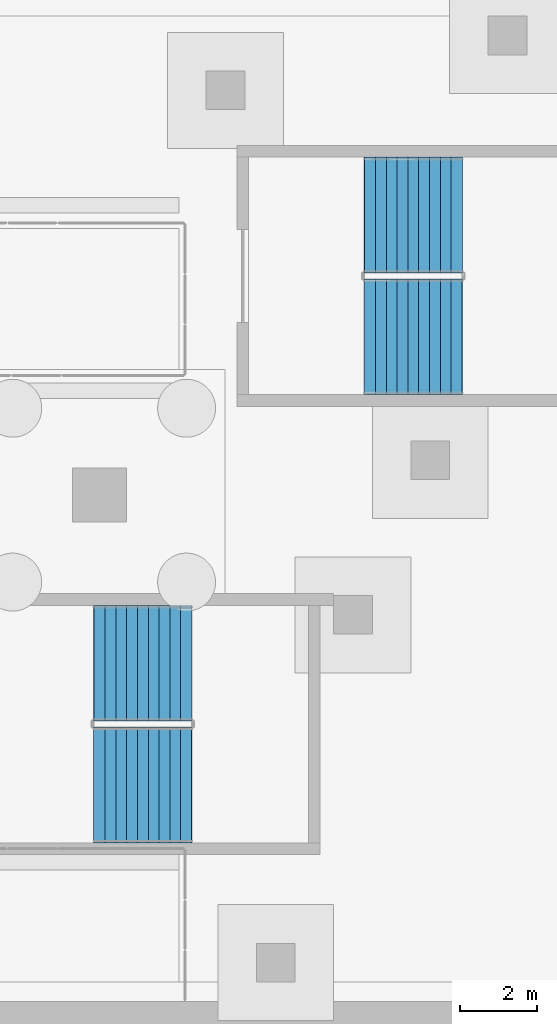
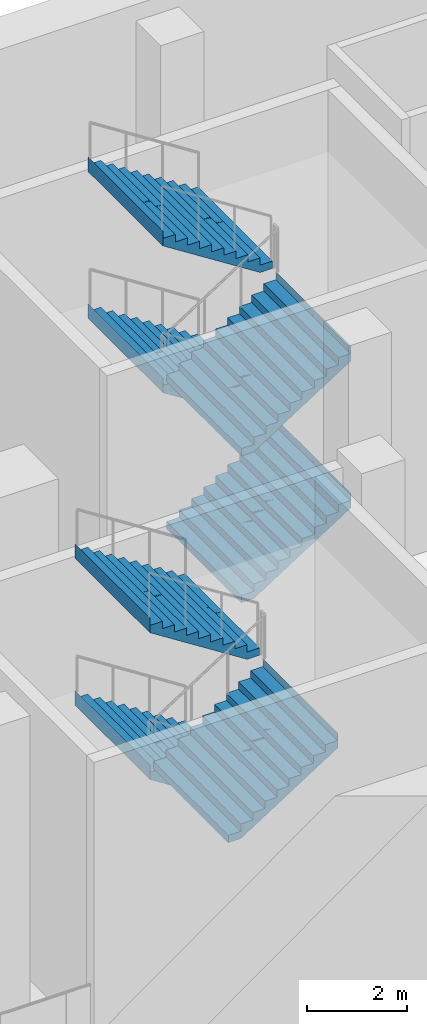
# One storey, part 8 of 15: 7 stair flights, 2 elements without a shape of their own.
"""IFC4 building model written with IfcOpenShell, lengths in metres."""

from ifc_helpers import new_model, si_unit, direction, frame, origin, place, context, subcontext, project, spatial, polyline, outline, extrude, material, type_object, element, aggregate, save


model = new_model("IFC4")

# Units and contexts
model_context = context("Model", 3, precision=1e-05, world=origin(), true_north=direction((0.0, 1.0)))
body_context = subcontext(model_context, "Body", "Model", "MODEL_VIEW")
ifc_project = project(units=[si_unit("LENGTHUNIT", "METRE"), si_unit("AREAUNIT", "SQUARE_METRE"), si_unit("VOLUMEUNIT", "CUBIC_METRE"), si_unit("PLANEANGLEUNIT", "RADIAN"), si_unit("MASSUNIT", "GRAM", prefix="KILO")], contexts=[model_context])

# Site, building, storey
site_placement = place(None, origin())
site = spatial("IfcSite", under=ifc_project, at=site_placement, CompositionType="ELEMENT")
building_placement = place(site_placement, origin())
building = spatial("IfcBuilding", under=site, at=building_placement, Name="Wharfspan Tower", CompositionType="ELEMENT")
storey_placement = place(building_placement, frame((0.0, 0.0, -14.399902)))
storey = spatial("IfcBuildingStorey", under=building, at=storey_placement, Name="B2", CompositionType="ELEMENT", Elevation=-14.399902)

# Stair, stair flights
ifc_material = material(Name="Concrete C40/50", Category="concrete")
stair_type = type_object("IfcStairType", Name="Half-turn stair 3000 wide 40 risers 180 mm", PredefinedType="HALF_TURN_STAIR", material=ifc_material)
stair_1_placement = place(storey_placement, origin())
stair_1 = element("IfcStair", 1, at=stair_1_placement, inside=storey, type_object=stair_type, Name="B2 stair SB5", PredefinedType="HALF_TURN_STAIR")
stair_flight_type = type_object("IfcStairFlightType", Name="Stair flight 3000 wide 40 risers 180 mm", PredefinedType="STRAIGHT", material=ifc_material)
stair_flight_1_placement = place(storey_placement, frame((82.820068, -26.25, 1.799805), z_axis=(0.0, 0.0, 1.0), x_axis=(-1.0, 0.0, 0.0)))
stair_flight_1 = element("IfcStairFlight", 2, at=stair_flight_1_placement, type_object=stair_flight_type, Name="SB5 flight 2", NumberOfRisers=10, NumberOfTreads=9, PredefinedType="STRAIGHT", RiserHeight=0.18, TreadLength=0.28, context=body_context, shape_type="SweptSolid", body=[
    extrude(outline(polyline([(-0.011963, 0.0), (-0.011963, 0.179932), (0.0, 0.179932), (0.280029, 0.179932), (0.280029, 0.360107), (0.560059, 0.360107), (0.560059, 0.540039), (0.840088, 0.540039), (0.840088, 0.719971), (1.120117, 0.719971), (1.120117, 0.899902), (1.399902, 0.899902), (1.399902, 1.080078), (1.679932, 1.080078), (1.679932, 1.26001), (1.959961, 1.26001), (1.959961, 1.439941), (2.23999, 1.439941), (2.23999, 1.620117), (2.52002, 1.620117), (2.531982, 1.800049), (2.531982, 1.441895), (0.2771, 0.0), (-0.011963, 0.0)])), frame((0.0, 1.5, 0.0), z_axis=(0.0, -1.0, 0.0), x_axis=(1.0, 0.0, 0.0)), (0.0, 0.0, 1.0), 1.479492),
    extrude(outline(polyline([(-0.011963, 0.0), (-0.011963, 0.179932), (0.0, 0.179932), (0.280029, 0.179932), (0.280029, 0.360107), (0.560059, 0.360107), (0.560059, 0.540039), (0.840088, 0.540039), (0.840088, 0.719971), (1.120117, 0.719971), (1.120117, 0.899902), (1.399902, 0.899902), (1.399902, 1.080078), (1.679932, 1.080078), (1.679932, 1.26001), (1.959961, 1.26001), (1.959961, 1.439941), (2.23999, 1.439941), (2.23999, 1.620117), (2.52002, 1.620117), (2.531982, 1.800049), (2.531982, 1.441895), (0.2771, 0.0), (-0.011963, 0.0)])), frame((0.0, 0.019531, 0.0), z_axis=(0.0, -1.0, 0.0), x_axis=(1.0, 0.0, 0.0)), (0.0, 0.0, 1.0), 0.019043),
    extrude(outline(polyline([(-0.011963, 0.0), (-0.011963, 0.179932), (0.0, 0.179932), (0.280029, 0.179932), (0.280029, 0.360107), (0.560059, 0.360107), (0.560059, 0.540039), (0.840088, 0.540039), (0.840088, 0.719971), (1.120117, 0.719971), (1.120117, 0.899902), (1.399902, 0.899902), (1.399902, 1.080078), (1.679932, 1.080078), (1.679932, 1.26001), (1.959961, 1.26001), (1.959961, 1.439941), (2.23999, 1.439941), (2.23999, 1.620117), (2.52002, 1.620117), (2.531982, 1.800049), (2.531982, 1.441895), (0.2771, 0.0), (-0.011963, 0.0)])), frame((0.0, -0.000488, 0.0), z_axis=(0.0, -1.0, 0.0), x_axis=(1.0, 0.0, 0.0)), (0.0, 0.0, 1.0), 0.019043),
    extrude(outline(polyline([(-0.011963, 0.0), (-0.011963, 0.179932), (0.0, 0.179932), (0.280029, 0.179932), (0.280029, 0.360107), (0.560059, 0.360107), (0.560059, 0.540039), (0.840088, 0.540039), (0.840088, 0.719971), (1.120117, 0.719971), (1.120117, 0.899902), (1.399902, 0.899902), (1.399902, 1.080078), (1.679932, 1.080078), (1.679932, 1.26001), (1.959961, 1.26001), (1.959961, 1.439941), (2.23999, 1.439941), (2.23999, 1.620117), (2.52002, 1.620117), (2.531982, 1.800049), (2.531982, 1.441895), (0.2771, 0.0), (-0.011963, 0.0)])), frame((0.0, -0.020508, 0.0), z_axis=(0.0, -1.0, 0.0), x_axis=(1.0, 0.0, 0.0)), (0.0, 0.0, 1.0), 1.479492),
])
stair_flight_2_placement = place(storey_placement, frame((80.300049, -29.399902, 3.599854), z_axis=(0.0, 0.0, 1.0), x_axis=(1.0, 0.0, 0.0)))
stair_flight_2 = element("IfcStairFlight", 3, at=stair_flight_2_placement, type_object=stair_flight_type, Name="SB5 flight 3", NumberOfRisers=10, NumberOfTreads=9, PredefinedType="STRAIGHT", RiserHeight=0.18, TreadLength=0.28, context=body_context, shape_type="SweptSolid", body=[
    extrude(outline(polyline([(-0.011963, 0.0), (-0.011963, 0.179932), (0.0, 0.179932), (0.280029, 0.179932), (0.280029, 0.360107), (0.560059, 0.360107), (0.560059, 0.540039), (0.840088, 0.540039), (0.840088, 0.719971), (1.120117, 0.719971), (1.120117, 0.899902), (1.399902, 0.899902), (1.399902, 1.080078), (1.679932, 1.080078), (1.679932, 1.26001), (1.959961, 1.26001), (1.959961, 1.439941), (2.23999, 1.439941), (2.23999, 1.620117), (2.52002, 1.620117), (2.531982, 1.800049), (2.531982, 1.441895), (0.2771, 0.0), (-0.011963, 0.0)])), frame((0.0, 1.5, 0.0), z_axis=(0.0, -1.0, 0.0), x_axis=(1.0, 0.0, 0.0)), (0.0, 0.0, 1.0), 1.479492),
    extrude(outline(polyline([(-0.011963, 0.0), (-0.011963, 0.179932), (0.0, 0.179932), (0.280029, 0.179932), (0.280029, 0.360107), (0.560059, 0.360107), (0.560059, 0.540039), (0.840088, 0.540039), (0.840088, 0.719971), (1.120117, 0.719971), (1.120117, 0.899902), (1.399902, 0.899902), (1.399902, 1.080078), (1.679932, 1.080078), (1.679932, 1.26001), (1.959961, 1.26001), (1.959961, 1.439941), (2.23999, 1.439941), (2.23999, 1.620117), (2.52002, 1.620117), (2.531982, 1.800049), (2.531982, 1.441895), (0.2771, 0.0), (-0.011963, 0.0)])), frame((0.0, 0.019531, 0.0), z_axis=(0.0, -1.0, 0.0), x_axis=(1.0, 0.0, 0.0)), (0.0, 0.0, 1.0), 0.019043),
    extrude(outline(polyline([(-0.011963, 0.0), (-0.011963, 0.179932), (0.0, 0.179932), (0.280029, 0.179932), (0.280029, 0.360107), (0.560059, 0.360107), (0.560059, 0.540039), (0.840088, 0.540039), (0.840088, 0.719971), (1.120117, 0.719971), (1.120117, 0.899902), (1.399902, 0.899902), (1.399902, 1.080078), (1.679932, 1.080078), (1.679932, 1.26001), (1.959961, 1.26001), (1.959961, 1.439941), (2.23999, 1.439941), (2.23999, 1.620117), (2.52002, 1.620117), (2.531982, 1.800049), (2.531982, 1.441895), (0.2771, 0.0), (-0.011963, 0.0)])), frame((0.0, -0.000488, 0.0), z_axis=(0.0, -1.0, 0.0), x_axis=(1.0, 0.0, 0.0)), (0.0, 0.0, 1.0), 0.019043),
    extrude(outline(polyline([(-0.011963, 0.0), (-0.011963, 0.179932), (0.0, 0.179932), (0.280029, 0.179932), (0.280029, 0.360107), (0.560059, 0.360107), (0.560059, 0.540039), (0.840088, 0.540039), (0.840088, 0.719971), (1.120117, 0.719971), (1.120117, 0.899902), (1.399902, 0.899902), (1.399902, 1.080078), (1.679932, 1.080078), (1.679932, 1.26001), (1.959961, 1.26001), (1.959961, 1.439941), (2.23999, 1.439941), (2.23999, 1.620117), (2.52002, 1.620117), (2.531982, 1.800049), (2.531982, 1.441895), (0.2771, 0.0), (-0.011963, 0.0)])), frame((0.0, -0.020508, 0.0), z_axis=(0.0, -1.0, 0.0), x_axis=(1.0, 0.0, 0.0)), (0.0, 0.0, 1.0), 1.479492),
])
stair_flight_3_placement = place(storey_placement, frame((82.820068, -26.25, 5.399902), z_axis=(0.0, 0.0, 1.0), x_axis=(-1.0, 0.0, 0.0)))
stair_flight_3 = element("IfcStairFlight", 4, at=stair_flight_3_placement, type_object=stair_flight_type, Name="SB5 flight 4", NumberOfRisers=10, NumberOfTreads=9, PredefinedType="STRAIGHT", RiserHeight=0.18, TreadLength=0.28, context=body_context, shape_type="SweptSolid", body=[
    extrude(outline(polyline([(-0.011963, 0.0), (-0.011963, 0.179932), (0.0, 0.179932), (0.280029, 0.179932), (0.280029, 0.360107), (0.560059, 0.360107), (0.560059, 0.540039), (0.840088, 0.540039), (0.840088, 0.719971), (1.120117, 0.719971), (1.120117, 0.899902), (1.399902, 0.899902), (1.399902, 1.080078), (1.679932, 1.080078), (1.679932, 1.26001), (1.959961, 1.26001), (1.959961, 1.439941), (2.23999, 1.439941), (2.23999, 1.620117), (2.52002, 1.620117), (2.531982, 1.800049), (2.531982, 1.441895), (0.2771, 0.0), (-0.011963, 0.0)])), frame((0.0, 1.5, 0.0), z_axis=(0.0, -1.0, 0.0), x_axis=(1.0, 0.0, 0.0)), (0.0, 0.0, 1.0), 1.479492),
    extrude(outline(polyline([(-0.011963, 0.0), (-0.011963, 0.179932), (0.0, 0.179932), (0.280029, 0.179932), (0.280029, 0.360107), (0.560059, 0.360107), (0.560059, 0.540039), (0.840088, 0.540039), (0.840088, 0.719971), (1.120117, 0.719971), (1.120117, 0.899902), (1.399902, 0.899902), (1.399902, 1.080078), (1.679932, 1.080078), (1.679932, 1.26001), (1.959961, 1.26001), (1.959961, 1.439941), (2.23999, 1.439941), (2.23999, 1.620117), (2.52002, 1.620117), (2.531982, 1.800049), (2.531982, 1.441895), (0.2771, 0.0), (-0.011963, 0.0)])), frame((0.0, 0.019531, 0.0), z_axis=(0.0, -1.0, 0.0), x_axis=(1.0, 0.0, 0.0)), (0.0, 0.0, 1.0), 0.019043),
    extrude(outline(polyline([(-0.011963, 0.0), (-0.011963, 0.179932), (0.0, 0.179932), (0.280029, 0.179932), (0.280029, 0.360107), (0.560059, 0.360107), (0.560059, 0.540039), (0.840088, 0.540039), (0.840088, 0.719971), (1.120117, 0.719971), (1.120117, 0.899902), (1.399902, 0.899902), (1.399902, 1.080078), (1.679932, 1.080078), (1.679932, 1.26001), (1.959961, 1.26001), (1.959961, 1.439941), (2.23999, 1.439941), (2.23999, 1.620117), (2.52002, 1.620117), (2.531982, 1.800049), (2.531982, 1.441895), (0.2771, 0.0), (-0.011963, 0.0)])), frame((0.0, -0.000488, 0.0), z_axis=(0.0, -1.0, 0.0), x_axis=(1.0, 0.0, 0.0)), (0.0, 0.0, 1.0), 0.019043),
    extrude(outline(polyline([(-0.011963, 0.0), (-0.011963, 0.179932), (0.0, 0.179932), (0.280029, 0.179932), (0.280029, 0.360107), (0.560059, 0.360107), (0.560059, 0.540039), (0.840088, 0.540039), (0.840088, 0.719971), (1.120117, 0.719971), (1.120117, 0.899902), (1.399902, 0.899902), (1.399902, 1.080078), (1.679932, 1.080078), (1.679932, 1.26001), (1.959961, 1.26001), (1.959961, 1.439941), (2.23999, 1.439941), (2.23999, 1.620117), (2.52002, 1.620117), (2.531982, 1.800049), (2.531982, 1.441895), (0.2771, 0.0), (-0.011963, 0.0)])), frame((0.0, -0.020508, 0.0), z_axis=(0.0, -1.0, 0.0), x_axis=(1.0, 0.0, 0.0)), (0.0, 0.0, 1.0), 1.479492),
])
aggregate(stair_1, [stair_flight_1, stair_flight_2, stair_flight_3])

stair_2_placement = place(storey_placement, origin())
stair_2 = element("IfcStair", 5, at=stair_2_placement, inside=storey, type_object=stair_type, Name="B2 stair SB7", PredefinedType="HALF_TURN_STAIR")
stair_flight_4_placement = place(storey_placement, frame((87.300049, -17.800049, 0.0), z_axis=(0.0, 0.0, 1.0), x_axis=(1.0, 0.0, 0.0)))
stair_flight_4 = element("IfcStairFlight", 6, at=stair_flight_4_placement, type_object=stair_flight_type, Name="SB7 flight 1", NumberOfRisers=10, NumberOfTreads=9, PredefinedType="STRAIGHT", RiserHeight=0.18, TreadLength=0.28, context=body_context, shape_type="SweptSolid", body=[
    extrude(outline(polyline([(-0.011963, 0.0), (-0.011963, 0.179932), (0.0, 0.179932), (0.280029, 0.179932), (0.280029, 0.360107), (0.560059, 0.360107), (0.560059, 0.540039), (0.840088, 0.540039), (0.840088, 0.719971), (1.120117, 0.719971), (1.120117, 0.899902), (1.399902, 0.899902), (1.399902, 1.080078), (1.679932, 1.080078), (1.679932, 1.26001), (1.959961, 1.26001), (1.959961, 1.439941), (2.23999, 1.439941), (2.23999, 1.620117), (2.52002, 1.620117), (2.531982, 1.800049), (2.531982, 1.441895), (0.2771, 0.0), (-0.011963, 0.0)])), frame((0.0, 1.5, 0.0), z_axis=(0.0, -1.0, 0.0), x_axis=(1.0, 0.0, 0.0)), (0.0, 0.0, 1.0), 1.479492),
    extrude(outline(polyline([(-0.011963, 0.0), (-0.011963, 0.179932), (0.0, 0.179932), (0.280029, 0.179932), (0.280029, 0.360107), (0.560059, 0.360107), (0.560059, 0.540039), (0.840088, 0.540039), (0.840088, 0.719971), (1.120117, 0.719971), (1.120117, 0.899902), (1.399902, 0.899902), (1.399902, 1.080078), (1.679932, 1.080078), (1.679932, 1.26001), (1.959961, 1.26001), (1.959961, 1.439941), (2.23999, 1.439941), (2.23999, 1.620117), (2.52002, 1.620117), (2.531982, 1.800049), (2.531982, 1.441895), (0.2771, 0.0), (-0.011963, 0.0)])), frame((0.0, 0.019531, 0.0), z_axis=(0.0, -1.0, 0.0), x_axis=(1.0, 0.0, 0.0)), (0.0, 0.0, 1.0), 0.019043),
    extrude(outline(polyline([(-0.011963, 0.0), (-0.011963, 0.179932), (0.0, 0.179932), (0.280029, 0.179932), (0.280029, 0.360107), (0.560059, 0.360107), (0.560059, 0.540039), (0.840088, 0.540039), (0.840088, 0.719971), (1.120117, 0.719971), (1.120117, 0.899902), (1.399902, 0.899902), (1.399902, 1.080078), (1.679932, 1.080078), (1.679932, 1.26001), (1.959961, 1.26001), (1.959961, 1.439941), (2.23999, 1.439941), (2.23999, 1.620117), (2.52002, 1.620117), (2.531982, 1.800049), (2.531982, 1.441895), (0.2771, 0.0), (-0.011963, 0.0)])), frame((0.0, -0.000488, 0.0), z_axis=(0.0, -1.0, 0.0), x_axis=(1.0, 0.0, 0.0)), (0.0, 0.0, 1.0), 0.019043),
    extrude(outline(polyline([(-0.011963, 0.0), (-0.011963, 0.179932), (0.0, 0.179932), (0.280029, 0.179932), (0.280029, 0.360107), (0.560059, 0.360107), (0.560059, 0.540039), (0.840088, 0.540039), (0.840088, 0.719971), (1.120117, 0.719971), (1.120117, 0.899902), (1.399902, 0.899902), (1.399902, 1.080078), (1.679932, 1.080078), (1.679932, 1.26001), (1.959961, 1.26001), (1.959961, 1.439941), (2.23999, 1.439941), (2.23999, 1.620117), (2.52002, 1.620117), (2.531982, 1.800049), (2.531982, 1.441895), (0.2771, 0.0), (-0.011963, 0.0)])), frame((0.0, -0.020508, 0.0), z_axis=(0.0, -1.0, 0.0), x_axis=(1.0, 0.0, 0.0)), (0.0, 0.0, 1.0), 1.479492),
])
stair_flight_5_placement = place(storey_placement, frame((89.820068, -14.649902, 1.799805), z_axis=(0.0, 0.0, 1.0), x_axis=(-1.0, 0.0, 0.0)))
stair_flight_5 = element("IfcStairFlight", 7, at=stair_flight_5_placement, type_object=stair_flight_type, Name="SB7 flight 2", NumberOfRisers=10, NumberOfTreads=9, PredefinedType="STRAIGHT", RiserHeight=0.18, TreadLength=0.28, context=body_context, shape_type="SweptSolid", body=[
    extrude(outline(polyline([(-0.011963, 0.0), (-0.011963, 0.179932), (0.0, 0.179932), (0.280029, 0.179932), (0.280029, 0.360107), (0.560059, 0.360107), (0.560059, 0.540039), (0.840088, 0.540039), (0.840088, 0.719971), (1.120117, 0.719971), (1.120117, 0.899902), (1.399902, 0.899902), (1.399902, 1.080078), (1.679932, 1.080078), (1.679932, 1.26001), (1.959961, 1.26001), (1.959961, 1.439941), (2.23999, 1.439941), (2.23999, 1.620117), (2.52002, 1.620117), (2.531982, 1.800049), (2.531982, 1.441895), (0.2771, 0.0), (-0.011963, 0.0)])), frame((0.0, 1.5, 0.0), z_axis=(0.0, -1.0, 0.0), x_axis=(1.0, 0.0, 0.0)), (0.0, 0.0, 1.0), 1.479492),
    extrude(outline(polyline([(-0.011963, 0.0), (-0.011963, 0.179932), (0.0, 0.179932), (0.280029, 0.179932), (0.280029, 0.360107), (0.560059, 0.360107), (0.560059, 0.540039), (0.840088, 0.540039), (0.840088, 0.719971), (1.120117, 0.719971), (1.120117, 0.899902), (1.399902, 0.899902), (1.399902, 1.080078), (1.679932, 1.080078), (1.679932, 1.26001), (1.959961, 1.26001), (1.959961, 1.439941), (2.23999, 1.439941), (2.23999, 1.620117), (2.52002, 1.620117), (2.531982, 1.800049), (2.531982, 1.441895), (0.2771, 0.0), (-0.011963, 0.0)])), frame((0.0, 0.019531, 0.0), z_axis=(0.0, -1.0, 0.0), x_axis=(1.0, 0.0, 0.0)), (0.0, 0.0, 1.0), 0.019043),
    extrude(outline(polyline([(-0.011963, 0.0), (-0.011963, 0.179932), (0.0, 0.179932), (0.280029, 0.179932), (0.280029, 0.360107), (0.560059, 0.360107), (0.560059, 0.540039), (0.840088, 0.540039), (0.840088, 0.719971), (1.120117, 0.719971), (1.120117, 0.899902), (1.399902, 0.899902), (1.399902, 1.080078), (1.679932, 1.080078), (1.679932, 1.26001), (1.959961, 1.26001), (1.959961, 1.439941), (2.23999, 1.439941), (2.23999, 1.620117), (2.52002, 1.620117), (2.531982, 1.800049), (2.531982, 1.441895), (0.2771, 0.0), (-0.011963, 0.0)])), frame((0.0, -0.000488, 0.0), z_axis=(0.0, -1.0, 0.0), x_axis=(1.0, 0.0, 0.0)), (0.0, 0.0, 1.0), 0.019043),
    extrude(outline(polyline([(-0.011963, 0.0), (-0.011963, 0.179932), (0.0, 0.179932), (0.280029, 0.179932), (0.280029, 0.360107), (0.560059, 0.360107), (0.560059, 0.540039), (0.840088, 0.540039), (0.840088, 0.719971), (1.120117, 0.719971), (1.120117, 0.899902), (1.399902, 0.899902), (1.399902, 1.080078), (1.679932, 1.080078), (1.679932, 1.26001), (1.959961, 1.26001), (1.959961, 1.439941), (2.23999, 1.439941), (2.23999, 1.620117), (2.52002, 1.620117), (2.531982, 1.800049), (2.531982, 1.441895), (0.2771, 0.0), (-0.011963, 0.0)])), frame((0.0, -0.020508, 0.0), z_axis=(0.0, -1.0, 0.0), x_axis=(1.0, 0.0, 0.0)), (0.0, 0.0, 1.0), 1.479492),
])
stair_flight_6_placement = place(storey_placement, frame((87.300049, -17.800049, 3.599854), z_axis=(0.0, 0.0, 1.0), x_axis=(1.0, 0.0, 0.0)))
stair_flight_6 = element("IfcStairFlight", 8, at=stair_flight_6_placement, type_object=stair_flight_type, Name="SB7 flight 3", NumberOfRisers=10, NumberOfTreads=9, PredefinedType="STRAIGHT", RiserHeight=0.18, TreadLength=0.28, context=body_context, shape_type="SweptSolid", body=[
    extrude(outline(polyline([(-0.011963, 0.0), (-0.011963, 0.179932), (0.0, 0.179932), (0.280029, 0.179932), (0.280029, 0.360107), (0.560059, 0.360107), (0.560059, 0.540039), (0.840088, 0.540039), (0.840088, 0.719971), (1.120117, 0.719971), (1.120117, 0.899902), (1.399902, 0.899902), (1.399902, 1.080078), (1.679932, 1.080078), (1.679932, 1.26001), (1.959961, 1.26001), (1.959961, 1.439941), (2.23999, 1.439941), (2.23999, 1.620117), (2.52002, 1.620117), (2.531982, 1.800049), (2.531982, 1.441895), (0.2771, 0.0), (-0.011963, 0.0)])), frame((0.0, 1.5, 0.0), z_axis=(0.0, -1.0, 0.0), x_axis=(1.0, 0.0, 0.0)), (0.0, 0.0, 1.0), 1.479492),
    extrude(outline(polyline([(-0.011963, 0.0), (-0.011963, 0.179932), (0.0, 0.179932), (0.280029, 0.179932), (0.280029, 0.360107), (0.560059, 0.360107), (0.560059, 0.540039), (0.840088, 0.540039), (0.840088, 0.719971), (1.120117, 0.719971), (1.120117, 0.899902), (1.399902, 0.899902), (1.399902, 1.080078), (1.679932, 1.080078), (1.679932, 1.26001), (1.959961, 1.26001), (1.959961, 1.439941), (2.23999, 1.439941), (2.23999, 1.620117), (2.52002, 1.620117), (2.531982, 1.800049), (2.531982, 1.441895), (0.2771, 0.0), (-0.011963, 0.0)])), frame((0.0, 0.019531, 0.0), z_axis=(0.0, -1.0, 0.0), x_axis=(1.0, 0.0, 0.0)), (0.0, 0.0, 1.0), 0.019043),
    extrude(outline(polyline([(-0.011963, 0.0), (-0.011963, 0.179932), (0.0, 0.179932), (0.280029, 0.179932), (0.280029, 0.360107), (0.560059, 0.360107), (0.560059, 0.540039), (0.840088, 0.540039), (0.840088, 0.719971), (1.120117, 0.719971), (1.120117, 0.899902), (1.399902, 0.899902), (1.399902, 1.080078), (1.679932, 1.080078), (1.679932, 1.26001), (1.959961, 1.26001), (1.959961, 1.439941), (2.23999, 1.439941), (2.23999, 1.620117), (2.52002, 1.620117), (2.531982, 1.800049), (2.531982, 1.441895), (0.2771, 0.0), (-0.011963, 0.0)])), frame((0.0, -0.000488, 0.0), z_axis=(0.0, -1.0, 0.0), x_axis=(1.0, 0.0, 0.0)), (0.0, 0.0, 1.0), 0.019043),
    extrude(outline(polyline([(-0.011963, 0.0), (-0.011963, 0.179932), (0.0, 0.179932), (0.280029, 0.179932), (0.280029, 0.360107), (0.560059, 0.360107), (0.560059, 0.540039), (0.840088, 0.540039), (0.840088, 0.719971), (1.120117, 0.719971), (1.120117, 0.899902), (1.399902, 0.899902), (1.399902, 1.080078), (1.679932, 1.080078), (1.679932, 1.26001), (1.959961, 1.26001), (1.959961, 1.439941), (2.23999, 1.439941), (2.23999, 1.620117), (2.52002, 1.620117), (2.531982, 1.800049), (2.531982, 1.441895), (0.2771, 0.0), (-0.011963, 0.0)])), frame((0.0, -0.020508, 0.0), z_axis=(0.0, -1.0, 0.0), x_axis=(1.0, 0.0, 0.0)), (0.0, 0.0, 1.0), 1.479492),
])
stair_flight_7_placement = place(storey_placement, frame((89.820068, -14.649902, 5.399902), z_axis=(0.0, 0.0, 1.0), x_axis=(-1.0, 0.0, 0.0)))
stair_flight_7 = element("IfcStairFlight", 9, at=stair_flight_7_placement, type_object=stair_flight_type, Name="SB7 flight 4", NumberOfRisers=10, NumberOfTreads=9, PredefinedType="STRAIGHT", RiserHeight=0.18, TreadLength=0.28, context=body_context, shape_type="SweptSolid", body=[
    extrude(outline(polyline([(-0.011963, 0.0), (-0.011963, 0.179932), (0.0, 0.179932), (0.280029, 0.179932), (0.280029, 0.360107), (0.560059, 0.360107), (0.560059, 0.540039), (0.840088, 0.540039), (0.840088, 0.719971), (1.120117, 0.719971), (1.120117, 0.899902), (1.399902, 0.899902), (1.399902, 1.080078), (1.679932, 1.080078), (1.679932, 1.26001), (1.959961, 1.26001), (1.959961, 1.439941), (2.23999, 1.439941), (2.23999, 1.620117), (2.52002, 1.620117), (2.531982, 1.800049), (2.531982, 1.441895), (0.2771, 0.0), (-0.011963, 0.0)])), frame((0.0, 1.5, 0.0), z_axis=(0.0, -1.0, 0.0), x_axis=(1.0, 0.0, 0.0)), (0.0, 0.0, 1.0), 1.479492),
    extrude(outline(polyline([(-0.011963, 0.0), (-0.011963, 0.179932), (0.0, 0.179932), (0.280029, 0.179932), (0.280029, 0.360107), (0.560059, 0.360107), (0.560059, 0.540039), (0.840088, 0.540039), (0.840088, 0.719971), (1.120117, 0.719971), (1.120117, 0.899902), (1.399902, 0.899902), (1.399902, 1.080078), (1.679932, 1.080078), (1.679932, 1.26001), (1.959961, 1.26001), (1.959961, 1.439941), (2.23999, 1.439941), (2.23999, 1.620117), (2.52002, 1.620117), (2.531982, 1.800049), (2.531982, 1.441895), (0.2771, 0.0), (-0.011963, 0.0)])), frame((0.0, 0.019531, 0.0), z_axis=(0.0, -1.0, 0.0), x_axis=(1.0, 0.0, 0.0)), (0.0, 0.0, 1.0), 0.019043),
    extrude(outline(polyline([(-0.011963, 0.0), (-0.011963, 0.179932), (0.0, 0.179932), (0.280029, 0.179932), (0.280029, 0.360107), (0.560059, 0.360107), (0.560059, 0.540039), (0.840088, 0.540039), (0.840088, 0.719971), (1.120117, 0.719971), (1.120117, 0.899902), (1.399902, 0.899902), (1.399902, 1.080078), (1.679932, 1.080078), (1.679932, 1.26001), (1.959961, 1.26001), (1.959961, 1.439941), (2.23999, 1.439941), (2.23999, 1.620117), (2.52002, 1.620117), (2.531982, 1.800049), (2.531982, 1.441895), (0.2771, 0.0), (-0.011963, 0.0)])), frame((0.0, -0.000488, 0.0), z_axis=(0.0, -1.0, 0.0), x_axis=(1.0, 0.0, 0.0)), (0.0, 0.0, 1.0), 0.019043),
    extrude(outline(polyline([(-0.011963, 0.0), (-0.011963, 0.179932), (0.0, 0.179932), (0.280029, 0.179932), (0.280029, 0.360107), (0.560059, 0.360107), (0.560059, 0.540039), (0.840088, 0.540039), (0.840088, 0.719971), (1.120117, 0.719971), (1.120117, 0.899902), (1.399902, 0.899902), (1.399902, 1.080078), (1.679932, 1.080078), (1.679932, 1.26001), (1.959961, 1.26001), (1.959961, 1.439941), (2.23999, 1.439941), (2.23999, 1.620117), (2.52002, 1.620117), (2.531982, 1.800049), (2.531982, 1.441895), (0.2771, 0.0), (-0.011963, 0.0)])), frame((0.0, -0.020508, 0.0), z_axis=(0.0, -1.0, 0.0), x_axis=(1.0, 0.0, 0.0)), (0.0, 0.0, 1.0), 1.479492),
])
aggregate(stair_2, [stair_flight_4, stair_flight_5, stair_flight_6, stair_flight_7])

save(model, "model.ifc")
